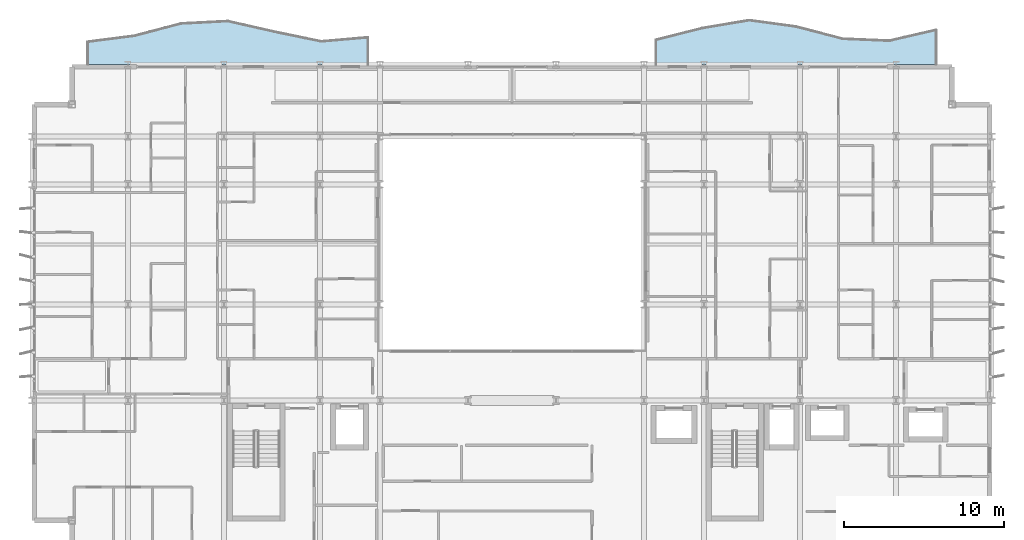
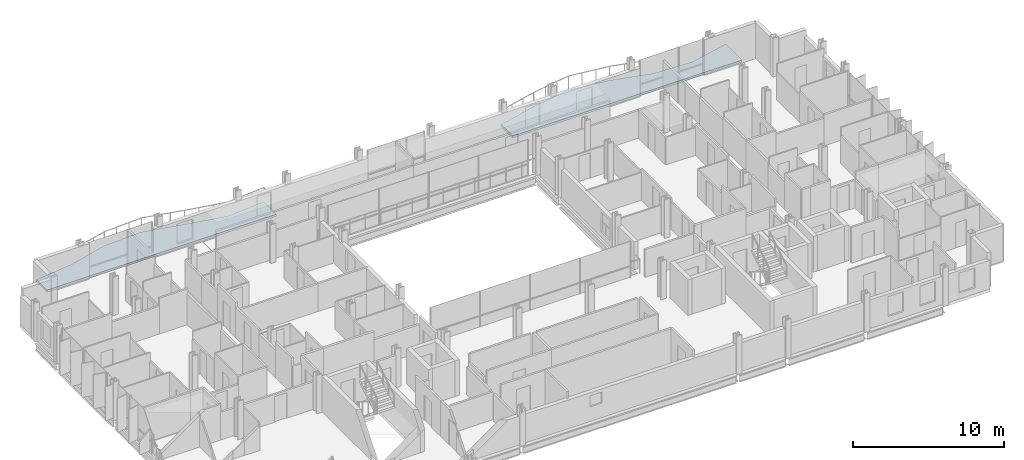
# One storey, part 25 of 39: 2 slabs.
"""IFC4 building model written with IfcOpenShell, lengths in metres."""

from ifc_helpers import new_model, si_unit, direction, frame, origin, place, context, subcontext, project, spatial, polyline, outline, extrude, material, layer, layer_set, type_object, element, save


model = new_model("IFC4")

# Units and contexts
model_context = context("Model", 3, precision=1e-05, world=origin(), true_north=direction((0.0, 1.0)))
body_context = subcontext(model_context, "Body", "Model", "MODEL_VIEW")
ifc_project = project(units=[si_unit("LENGTHUNIT", "METRE"), si_unit("AREAUNIT", "SQUARE_METRE"), si_unit("VOLUMEUNIT", "CUBIC_METRE"), si_unit("PLANEANGLEUNIT", "RADIAN"), si_unit("MASSUNIT", "GRAM", prefix="KILO")], contexts=[model_context])

# Site, building, storey
site_placement = place(None, origin())
site = spatial("IfcSite", under=ifc_project, at=site_placement, CompositionType="ELEMENT")
building_placement = place(site_placement, origin())
building = spatial("IfcBuilding", under=site, at=building_placement, Name="Brevholm Reach", CompositionType="ELEMENT")
storey_placement = place(building_placement, frame((0.0, 0.0, 40.39990234375)))
storey = spatial("IfcBuildingStorey", under=building, at=storey_placement, Name="L10", CompositionType="ELEMENT", Elevation=40.39990234375)

# Slabs
ifc_material = material(Name="Precast Concrete C40/50", Category="concrete")
ifc_layer = layer(ifc_material, 0.179931640625)
ifc_layer_set = layer_set([ifc_layer], Name="Precast Concrete C40/50")
slab_type = type_object("IfcSlabType", Name="SLB-BAL-180", PredefinedType="FLOOR", material=ifc_layer_set)
slab_1_placement = place(storey_placement, frame((0.0, 0.0, -0.179931640625)))
element("IfcSlab", 1, at=slab_1_placement, inside=storey, type_object=slab_type, Name="L10 Rippling External Balcony NE", PredefinedType="FLOOR", context=body_context, shape_type="SweptSolid", body=[
    extrude(outline(polyline([(39.0, 31.0), (56.5, 31.0), (56.5, 33.1455078125), (53.583251953125, 32.46826171875), (50.666748046875, 32.58935546875), (47.75, 33.349609375), (44.833251953125, 33.748291015625), (41.916748046875, 33.260986328125), (39.0, 32.52880859375), (39.0, 31.0)])), origin(), (0.0, 0.0, 1.0), 0.179931640625),
])
slab_2_placement = place(storey_placement, frame((0.0, 0.0, -0.179931640625)))
element("IfcSlab", 2, at=slab_2_placement, inside=storey, type_object=slab_type, Name="L10 Rippling External Balcony NW", PredefinedType="FLOOR", context=body_context, shape_type="SweptSolid", body=[
    extrude(outline(polyline([(3.5, 31.0), (21.0, 31.0), (21.0, 32.67822265625), (18.083251953125, 32.426025390625), (15.166748046875, 33.02783203125), (12.25, 33.691650390625), (9.333251953125, 33.5439453125), (6.416748046875, 32.779052734375), (3.5, 32.40380859375), (3.5, 31.0)])), origin(), (0.0, 0.0, 1.0), 0.179931640625),
])

save(model, "model.ifc")
